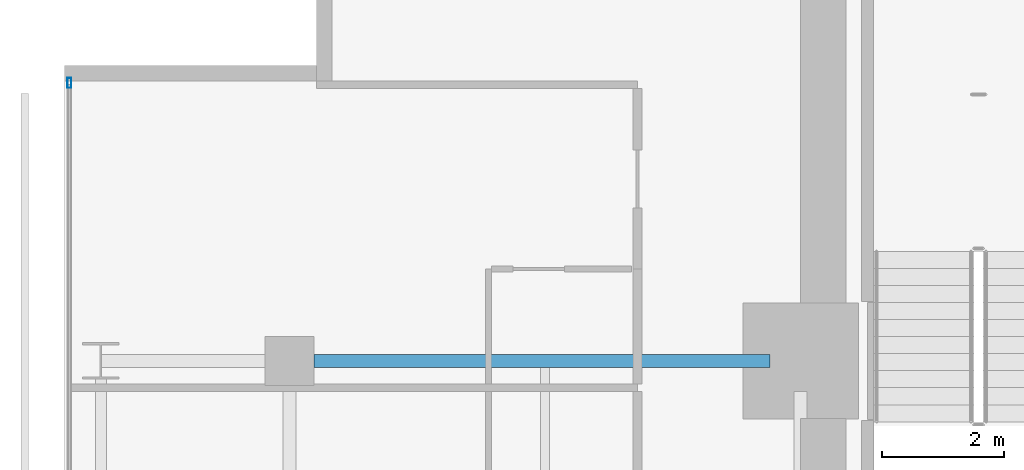
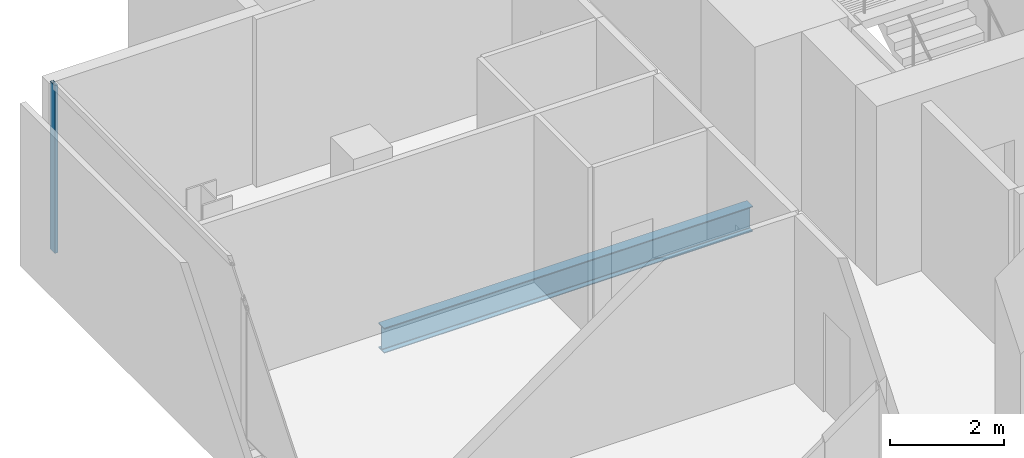
# One storey, part 20 of 34: 1 beam, 1 member, 1 element without a shape of its own.
"""IFC4 building model written with IfcOpenShell, lengths in metres."""

import ifcopenshell
import ifcopenshell.guid

model = None  # the IFC model being written
_history = None  # IfcOwnerHistory: only IFC2X3 demands one
_inside = {}  # id of a spatial element -> (the spatial element, [elements in it])
_under = {}  # id of a project, library or spatial element -> (it, [spatial elements below it])
_declared = {}  # id of a project -> (the project, [libraries it declares])
_typed = {}  # id of a type object -> (the type object, [elements of that type])
_made_of = {}  # id of a material, layer set ... -> (it, [elements and type objects made of it])


def new_model(schema):
    """Start an empty IFC model of exactly this schema.

    Asked for "IFC4X3", IfcOpenShell would pick the latest addendum, in which some entities
    have other attributes; the version numbers below select the first issue.
    IFC2X3 requires an IfcOwnerHistory on every rooted entity: one is made here for all.
    """
    global model, _history
    if schema == "IFC4X3":
        model = ifcopenshell.file(schema_version=(4, 3, 0, 0))
    else:
        model = ifcopenshell.file(schema=schema)
    _inside.clear()
    _under.clear()
    _declared.clear()
    _typed.clear()
    _made_of.clear()
    _history = None
    if model.schema == "IFC2X3":
        org = make("IfcOrganization", Name="unknown")
        user = make(
            "IfcPersonAndOrganization",
            ThePerson=make("IfcPerson", FamilyName="unknown"),
            TheOrganization=org,
        )
        app = make(
            "IfcApplication",
            ApplicationDeveloper=org,
            Version="unknown",
            ApplicationFullName="unknown",
            ApplicationIdentifier="unknown",
        )
        _history = make(
            "IfcOwnerHistory",
            OwningUser=user,
            OwningApplication=app,
            ChangeAction="ADDED",
            CreationDate=0,
        )
    return model


def make(cls, **values):
    """One entity of the class cls with the attributes given. An attribute that is None is left unset."""
    return model.create_entity(
        cls, **{name: value for name, value in values.items() if value is not None}
    )


def rooted(cls, **values):
    """An entity with a GlobalId (a new one), such as an element, a storey or a relation."""
    return make(cls, GlobalId=ifcopenshell.guid.new(), OwnerHistory=_history, **values)


def si_unit(unit_type, name, prefix=None):
    """IfcSIUnit, for example si_unit("LENGTHUNIT", "METRE", prefix="MILLI")."""
    return make("IfcSIUnit", UnitType=unit_type, Prefix=prefix, Name=name)


def assignment(units):
    """IfcUnitAssignment: the units of a project."""
    return None if units is None else make("IfcUnitAssignment", Units=units)


def point(xyz):
    """IfcCartesianPoint."""
    return None if xyz is None else make("IfcCartesianPoint", Coordinates=xyz)


def direction(xyz):
    """IfcDirection."""
    return None if xyz is None else make("IfcDirection", DirectionRatios=xyz)


def frame(location, z_axis=None, x_axis=None):
    """IfcAxis2Placement3D, a coordinate frame: its origin and axes. An axis left out is left unset."""
    return make(
        "IfcAxis2Placement3D",
        Location=point(location),
        Axis=direction(z_axis),
        RefDirection=direction(x_axis),
    )


def frame_2d(location, x_axis=None):
    """IfcAxis2Placement2D, a coordinate frame in the plane: its origin and x axis."""
    return make(
        "IfcAxis2Placement2D", Location=point(location), RefDirection=direction(x_axis)
    )


def origin():
    """The frame at (0, 0, 0) with its axes left unset."""
    return frame((0.0, 0.0, 0.0))


def origin_2d():
    """The frame at (0, 0) in the plane with its x axis left unset."""
    return frame_2d((0.0, 0.0))


def place(relative_to, where):
    """IfcLocalPlacement: puts the frame where relative to a parent placement (None: the world)."""
    return make(
        "IfcLocalPlacement", PlacementRelTo=relative_to, RelativePlacement=where
    )


def context(
    kind, dimensions, precision=None, world=None, true_north=None, identifier=None
):
    """IfcGeometricRepresentationContext, for example the 3D "Model" context."""
    return make(
        "IfcGeometricRepresentationContext",
        ContextIdentifier=identifier,
        ContextType=kind,
        CoordinateSpaceDimension=dimensions,
        Precision=precision,
        WorldCoordinateSystem=world,
        TrueNorth=true_north,
    )


def subcontext(parent, identifier, kind, view, scale=None):
    """IfcGeometricRepresentationSubContext, for example "Body" below "Model"."""
    return make(
        "IfcGeometricRepresentationSubContext",
        ContextIdentifier=identifier,
        ContextType=kind,
        ParentContext=parent,
        TargetScale=scale,
        TargetView=view,
    )


def project(units=None, contexts=None):
    """IfcProject with its units and contexts."""
    return rooted(
        "IfcProject",
        Name="project",
        RepresentationContexts=contexts,
        UnitsInContext=assignment(units),
    )


def spatial(cls, under=None, at=None, **own):
    """A site, building, storey or space (cls), placed at a placement, below another one or the project."""
    s = rooted(cls, ObjectPlacement=at, **own)
    if under is not None:
        _under.setdefault(under.id(), (under, []))[1].append(s)
    return s


def profile(cls, at=None, kind="AREA", **sizes):
    """A parametric profile (cls). Its sizes go by their IFC names, for example OverallWidth=200.0."""
    return make(cls, ProfileType=kind, Position=at, **sizes)


def hollow_rectangle(**sizes):
    """IfcRectangleHollowProfileDef."""
    return profile("IfcRectangleHollowProfileDef", **sizes)


def i_section(**sizes):
    """IfcIShapeProfileDef."""
    return profile("IfcIShapeProfileDef", **sizes)


def extrude(swept, where, along, depth):
    """IfcExtrudedAreaSolid: the profile swept, set in the frame where, extruded along a direction by depth."""
    return make(
        "IfcExtrudedAreaSolid",
        SweptArea=swept,
        Position=where,
        ExtrudedDirection=direction(along),
        Depth=depth,
    )


def shape(context_of_items, identifier, shape_type, items):
    """IfcShapeRepresentation: the items that make up one representation, for example the "Body"."""
    return make(
        "IfcShapeRepresentation",
        ContextOfItems=context_of_items,
        RepresentationIdentifier=identifier,
        RepresentationType=shape_type,
        Items=items,
    )


def material(Name=None, Category=None):
    """IfcMaterial."""
    return make("IfcMaterial", Name=Name, Category=Category)


def layer(
    of_material, thickness, ventilated=None, Name=None, Category=None, Priority=None
):
    """IfcMaterialLayer: one layer of a wall or slab, of a material (None: an air gap)."""
    return make(
        "IfcMaterialLayer",
        Material=of_material,
        LayerThickness=thickness,
        IsVentilated=ventilated,
        Name=Name,
        Category=Category,
        Priority=Priority,
    )


def layer_set(layers, Name=None):
    """IfcMaterialLayerSet."""
    return make("IfcMaterialLayerSet", MaterialLayers=layers, LayerSetName=Name)


def material_profile(
    of_material, cross_section, Name=None, Category=None, Priority=None
):
    """IfcMaterialProfile: a cross section and its material."""
    return make(
        "IfcMaterialProfile",
        Name=Name,
        Material=of_material,
        Profile=cross_section,
        Priority=Priority,
        Category=Category,
    )


def profile_set(profiles, Name=None, composite=None):
    """IfcMaterialProfileSet."""
    return make(
        "IfcMaterialProfileSet",
        Name=Name,
        MaterialProfiles=profiles,
        CompositeProfile=composite,
    )


def made_of(thing, what):
    """Note that an element or type object is made of a material, layer set ...; save() writes the relation."""
    if what is not None:
        _made_of.setdefault(what.id(), (what, []))[1].append(thing)
    return thing


def type_object(cls, material=None, **own):
    """A type object (cls), such as IfcWallType, which elements share."""
    return made_of(rooted(cls, **own), material)


def element(
    cls,
    number,
    at=None,
    inside=None,
    cuts=None,
    type_object=None,
    material=None,
    context=None,
    identifier="Body",
    shape_type=None,
    held_by="IfcProductDefinitionShape",
    body=None,
    shapes=None,
    **own,
):
    """One element of the class cls, such as IfcWall. Its Tag is "e" and its number.

    at: its placement. inside: the storey or other place that contains it. cuts: it is an
    opening in that element (IfcRelVoidsElement). A single representation is given by context,
    identifier, shape_type and body (its items); several are given by shapes. held_by: the class
    of the entity that holds the representations. save() writes the other relations.
    """
    e = rooted(cls, Tag="e%d" % number, ObjectPlacement=at, **own)
    if body is not None:
        shapes = [shape(context, identifier, shape_type, body)]
    if shapes is not None:
        e.Representation = make(held_by, Representations=shapes)
    if inside is not None:
        _inside.setdefault(inside.id(), (inside, []))[1].append(e)
    if cuts is not None:
        rooted(
            "IfcRelVoidsElement", RelatingBuildingElement=cuts, RelatedOpeningElement=e
        )
    if type_object is not None:
        _typed.setdefault(type_object.id(), (type_object, []))[1].append(e)
    return made_of(e, material)


def aggregate(whole, parts):
    """IfcRelAggregates: a whole, such as a stair, and the parts it consists of."""
    return rooted("IfcRelAggregates", RelatingObject=whole, RelatedObjects=parts)


def save(model, path):
    """Write the relations noted so far, then the file.

    IfcRelAggregates (storeys below a building ...), IfcRelContainedInSpatialStructure (elements
    in a storey), IfcRelDefinesByType, IfcRelAssociatesMaterial and IfcRelDeclares: one each for
    every whole, place, type object, material and project.
    """
    for whole, parts in _under.values():
        aggregate(whole, parts)
    for where, things in _inside.values():
        rooted(
            "IfcRelContainedInSpatialStructure",
            RelatedElements=things,
            RelatingStructure=where,
        )
    for kind, things in _typed.values():
        rooted("IfcRelDefinesByType", RelatedObjects=things, RelatingType=kind)
    for what, things in _made_of.values():
        rooted("IfcRelAssociatesMaterial", RelatedObjects=things, RelatingMaterial=what)
    for by, libraries in _declared.values():
        rooted("IfcRelDeclares", RelatingContext=by, RelatedDefinitions=libraries)
    model.write(path)


model = new_model("IFC4")

# Units and contexts
model_context = context("Model", 3, precision=1e-05, world=origin(), true_north=direction((0.0, 1.0)))
body_context = subcontext(model_context, "Body", "Model", "MODEL_VIEW")
ifc_project = project(units=[si_unit("LENGTHUNIT", "METRE"), si_unit("AREAUNIT", "SQUARE_METRE"), si_unit("VOLUMEUNIT", "CUBIC_METRE"), si_unit("PLANEANGLEUNIT", "RADIAN"), si_unit("MASSUNIT", "GRAM", prefix="KILO")], contexts=[model_context])

# Site, building, storey
site_placement = place(None, origin())
site = spatial("IfcSite", under=ifc_project, at=site_placement, CompositionType="ELEMENT")
building_placement = place(site_placement, origin())
building = spatial("IfcBuilding", under=site, at=building_placement, Name="Maruvema Waterfront Hotel and Observation Tower", CompositionType="ELEMENT")
storey_placement = place(building_placement, frame((0.0, 0.0, 215.949951171875)))
storey = spatial("IfcBuildingStorey", under=building, at=storey_placement, Name="L53", CompositionType="ELEMENT", Elevation=215.949951171875)

# Curtain wall, member
ifc_material_1 = material(Name="Anodised bronze aluminium and solar-control low-E IGU", Category="aluminium")
ifc_layer = layer(ifc_material_1, 0.159912109375, Name="Zone 2 Amber Inner Thermal Curtain Wall System CW-03")
ifc_layer_set = layer_set([ifc_layer], Name="Anodised bronze aluminium and solar-control low-E IGU")
curtain_wall_type = type_object("IfcCurtainWallType", Name="Zone 2 Amber Inner Thermal Curtain Wall System CW-03", PredefinedType="USERDEFINED", material=ifc_layer_set)
curtain_wall_placement = place(storey_placement, origin())
curtain_wall = element("IfcCurtainWall", 1, at=curtain_wall_placement, inside=storey, type_object=curtain_wall_type, Name="L53 Curtain Wall CW-L53-W", ObjectType="UNITISED CURTAIN WALL", PredefinedType="USERDEFINED")
ifc_material_2 = material(Name="Anodised architectural bronze aluminium", Category="aluminium")
ifc_material_profile_1 = material_profile(ifc_material_2, hollow_rectangle(XDim=0.06494140625, YDim=0.1650390625, WallThickness=0.00390625, at=origin_2d()), Name="ALU-M65x165")
ifc_profile_set_1 = profile_set([ifc_material_profile_1], Name="Anodised architectural bronze aluminium")
member_type = type_object("IfcMemberType", Name="Curtain Wall Primary Mullion ALU-M65x165", PredefinedType="MULLION", material=ifc_profile_set_1)
member_placement = place(storey_placement, frame((13.179931640625, 49.570068359375, 0.0), z_axis=(0.0, 0.0, 1.0), x_axis=(1.0, 0.0, 0.0)))
member = element("IfcMember", 2, at=member_placement, type_object=member_type, Name="CW-03 mullion 1", PredefinedType="MULLION", context=body_context, shape_type="SweptSolid", body=[
    extrude(hollow_rectangle(XDim=0.06494140625, YDim=0.1650390625, WallThickness=0.00390625, at=origin_2d()), origin(), (0.0, 0.0, 1.0), 3.610107421875),
])
aggregate(curtain_wall, [member])

# Beam
ifc_material_3 = material(Name="Steel ASTM A572 Grade 50", Category="steel")
ifc_material_profile_2 = material_profile(ifc_material_3, i_section(OverallWidth=0.2109375, OverallDepth=0.5390625, WebThickness=0.01171875, FlangeThickness=0.018798828125, FilletRadius=0.014892578125, at=origin_2d()), Name="W530x109.0")
ifc_profile_set_2 = profile_set([ifc_material_profile_2], Name="Steel ASTM A572 Grade 50")
beam_type = type_object("IfcBeamType", Name="Primary Floor Girder W530x109.0", PredefinedType="BEAM", material=ifc_profile_set_2)
beam_placement = place(storey_placement, frame((17.199951171875, 45.0, -0.509521484375), z_axis=(1.0, 0.0, 0.0), x_axis=(0.0, 1.0, 0.0)))
element("IfcBeam", 3, at=beam_placement, inside=storey, type_object=beam_type, Name="L53 Floor Girder EW-31", PredefinedType="BEAM", context=body_context, shape_type="SweptSolid", body=[
    extrude(i_section(OverallWidth=0.2109375, OverallDepth=0.5390625, WebThickness=0.01171875, FlangeThickness=0.018798828125, FilletRadius=0.014892578125, at=origin_2d()), origin(), (0.0, 0.0, 1.0), 7.5),
])

save(model, "model.ifc")
